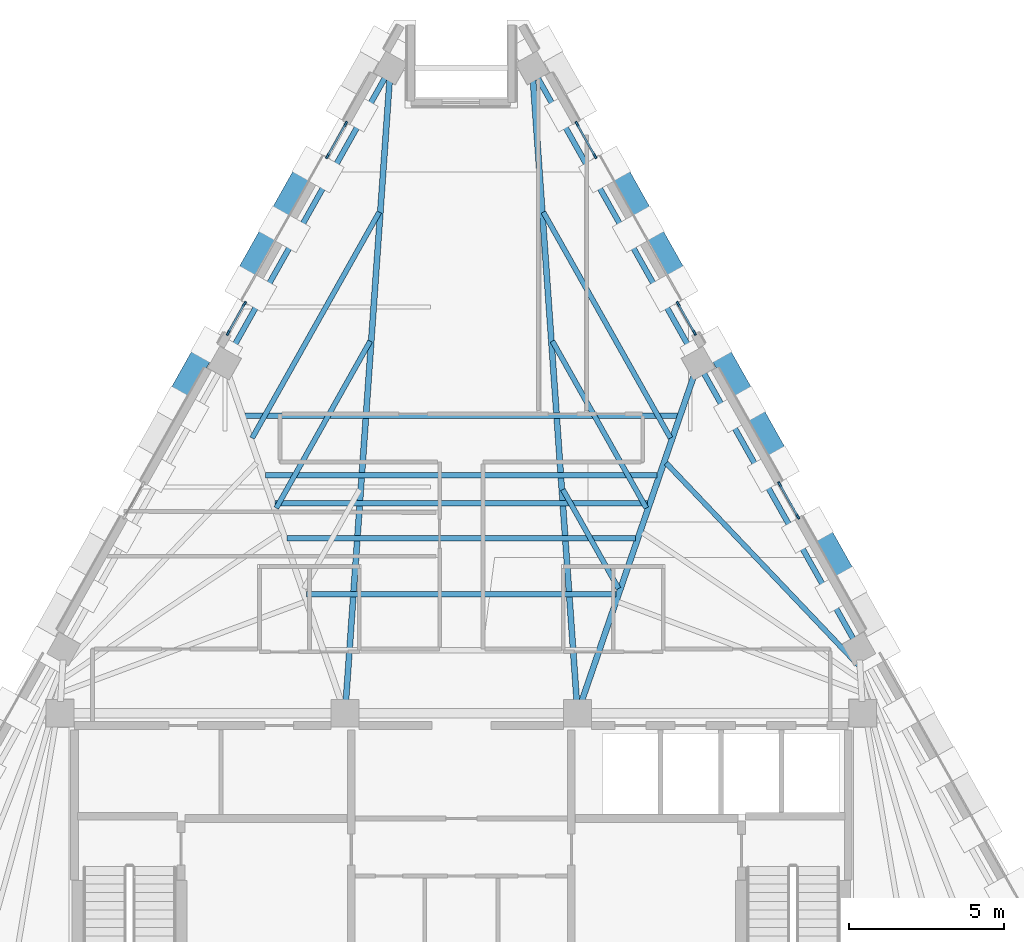
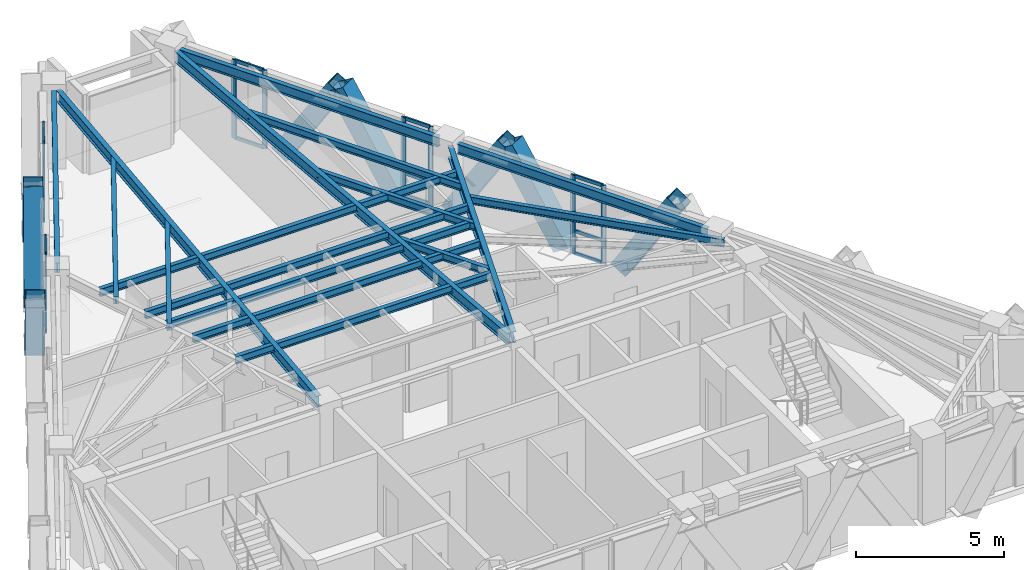
# One storey, part 3 of 9: 33 members, 17 beams, 5 elements without a shape of their own.
"""IFC4 building model written with IfcOpenShell, lengths in metres."""

from ifc_helpers import new_model, si_unit, direction, frame, origin, origin_2d, place, context, subcontext, project, spatial, rectangle, hollow_rectangle, i_section, extrude, material, material_profile, profile_set, type_object, element, aggregate, save


model = new_model("IFC4")

# Units and contexts
model_context = context("Model", 3, precision=1e-05, world=origin(), true_north=direction((0.0, 1.0)))
body_context = subcontext(model_context, "Body", "Model", "MODEL_VIEW")
ifc_project = project(units=[si_unit("LENGTHUNIT", "METRE"), si_unit("AREAUNIT", "SQUARE_METRE"), si_unit("VOLUMEUNIT", "CUBIC_METRE"), si_unit("PLANEANGLEUNIT", "RADIAN"), si_unit("MASSUNIT", "GRAM", prefix="KILO")], contexts=[model_context])

# Site, building, storey
site_placement = place(None, origin())
site = spatial("IfcSite", under=ifc_project, at=site_placement, CompositionType="ELEMENT")
building_placement = place(site_placement, origin())
building = spatial("IfcBuilding", under=site, at=building_placement, Name="Quenlor Broadcast Tower", CompositionType="ELEMENT")
storey_placement = place(building_placement, frame((0.0, 0.0, 256.89990234375)))
storey = spatial("IfcBuildingStorey", under=building, at=storey_placement, Name="L71", CompositionType="ELEMENT", Elevation=256.89990234375)

# Curtain wall, members
ifc_material_1 = material(Name="Architectural Terracotta and Low-E Glazing", Category="masonry")
curtain_wall_type = type_object("IfcCurtainWallType", Name="Unitised Terracotta Curtain Wall System Z5", PredefinedType="NOTDEFINED", material=ifc_material_1)
curtain_wall_1_placement = place(storey_placement, origin())
curtain_wall_1 = element("IfcCurtainWall", 1, at=curtain_wall_1_placement, inside=storey, type_object=curtain_wall_type, Name="L71 Curtain Wall CW5 (L71-NEA-G1)", PredefinedType="NOTDEFINED")
ifc_material_2 = material(Name="Aluminium 6063-T6", Category="aluminium")
ifc_material_profile_1 = material_profile(ifc_material_2, rectangle(XDim=0.06494140625, YDim=0.169921875, at=origin_2d()))
ifc_profile_set_1 = profile_set([ifc_material_profile_1], Name="Aluminium 6063-T6 MULL65x170")
member_type_1 = type_object("IfcMemberType", Name="CW5 Aluminium Mullion MULL_CW5", PredefinedType="MULLION", material=ifc_profile_set_1)
member_1_placement = place(storey_placement, frame((3.72802734375, 14.211669921875, 0.0), z_axis=(0.0, 0.0, 1.0), x_axis=(0.871558583916, 0.49029137745, 0.0)))
member_1 = element("IfcMember", 2, at=member_1_placement, type_object=member_type_1, Name="CW5 mullion 1", PredefinedType="MULLION", context=body_context, shape_type="SweptSolid", body=[
    extrude(rectangle(XDim=0.06494140625, YDim=0.169921875, at=origin_2d()), origin(), (0.0, 0.0, 1.0), 3.25),
])
member_2_placement = place(storey_placement, frame((4.31396484375, 13.169921875, 0.0), z_axis=(0.0, 0.0, 1.0), x_axis=(0.871558583916, 0.49029137745, 0.0)))
member_2 = element("IfcMember", 3, at=member_2_placement, type_object=member_type_1, Name="CW5 mullion 2", PredefinedType="MULLION", context=body_context, shape_type="SweptSolid", body=[
    extrude(rectangle(XDim=0.06494140625, YDim=0.169921875, at=origin_2d()), origin(), (0.0, 0.0, 1.0), 3.25),
])

curtain_wall_2_placement = place(storey_placement, origin())
curtain_wall_2 = element("IfcCurtainWall", 4, at=curtain_wall_2_placement, inside=storey, type_object=curtain_wall_type, Name="L71 Curtain Wall CW5 (L71-NEA-G2)", PredefinedType="NOTDEFINED")
member_3_placement = place(storey_placement, frame((6.99755859375, 8.39892578125, 0.0), z_axis=(0.0, 0.0, 1.0), x_axis=(0.871563693894, 0.490282293669, 0.0)))
member_3 = element("IfcMember", 5, at=member_3_placement, type_object=member_type_1, Name="CW5 mullion 1", PredefinedType="MULLION", context=body_context, shape_type="SweptSolid", body=[
    extrude(rectangle(XDim=0.06494140625, YDim=0.169921875, at=origin_2d()), origin(), (0.0, 0.0, 1.0), 3.25),
])
member_4_placement = place(storey_placement, frame((7.5185546875, 7.472900390625, 0.0), z_axis=(0.0, 0.0, 1.0), x_axis=(0.871563693894, 0.490282293669, 0.0)))
member_4 = element("IfcMember", 6, at=member_4_placement, type_object=member_type_1, Name="CW5 mullion 2", PredefinedType="MULLION", context=body_context, shape_type="SweptSolid", body=[
    extrude(rectangle(XDim=0.06494140625, YDim=0.169921875, at=origin_2d()), origin(), (0.0, 0.0, 1.0), 3.25),
])

curtain_wall_3_placement = place(storey_placement, origin())
curtain_wall_3 = element("IfcCurtainWall", 7, at=curtain_wall_3_placement, inside=storey, type_object=curtain_wall_type, Name="L71 Curtain Wall CW5 (L71-NE-G1)", PredefinedType="NOTDEFINED")
member_5_placement = place(storey_placement, frame((10.267333984375, 2.586181640625, 0.0), z_axis=(0.0, 0.0, 1.0), x_axis=(0.871592489955, 0.490231100048, 0.0)))
member_5 = element("IfcMember", 8, at=member_5_placement, type_object=member_type_1, Name="CW5 mullion 1", PredefinedType="MULLION", context=body_context, shape_type="SweptSolid", body=[
    extrude(rectangle(XDim=0.06494140625, YDim=0.169921875, at=origin_2d()), origin(), (0.0, 0.0, 1.0), 3.25),
])
member_6_placement = place(storey_placement, frame((10.853271484375, 1.54443359375, 0.0), z_axis=(0.0, 0.0, 1.0), x_axis=(0.871592489955, 0.490231100048, 0.0)))
member_6 = element("IfcMember", 9, at=member_6_placement, type_object=member_type_1, Name="CW5 mullion 2", PredefinedType="MULLION", context=body_context, shape_type="SweptSolid", body=[
    extrude(rectangle(XDim=0.06494140625, YDim=0.169921875, at=origin_2d()), origin(), (0.0, 0.0, 1.0), 3.25),
])

curtain_wall_4_placement = place(storey_placement, origin())
curtain_wall_4 = element("IfcCurtainWall", 10, at=curtain_wall_4_placement, inside=storey, type_object=curtain_wall_type, Name="L71 Curtain Wall CW5 (L71-NWC-G1)", PredefinedType="NOTDEFINED")
member_7_placement = place(storey_placement, frame((-7.5185546875, 7.472900390625, 0.0), z_axis=(0.0, 0.0, 1.0), x_axis=(-0.871563693894, 0.490282293669, 0.0)))
member_7 = element("IfcMember", 11, at=member_7_placement, type_object=member_type_1, Name="CW5 mullion 1", PredefinedType="MULLION", context=body_context, shape_type="SweptSolid", body=[
    extrude(rectangle(XDim=0.06494140625, YDim=0.169921875, at=origin_2d()), origin(), (0.0, 0.0, 1.0), 3.25),
])
member_8_placement = place(storey_placement, frame((-6.99755859375, 8.39892578125, 0.0), z_axis=(0.0, 0.0, 1.0), x_axis=(-0.871563693894, 0.490282293669, 0.0)))
member_8 = element("IfcMember", 12, at=member_8_placement, type_object=member_type_1, Name="CW5 mullion 2", PredefinedType="MULLION", context=body_context, shape_type="SweptSolid", body=[
    extrude(rectangle(XDim=0.06494140625, YDim=0.169921875, at=origin_2d()), origin(), (0.0, 0.0, 1.0), 3.25),
])

curtain_wall_5_placement = place(storey_placement, origin())
curtain_wall_5 = element("IfcCurtainWall", 13, at=curtain_wall_5_placement, inside=storey, type_object=curtain_wall_type, Name="L71 Curtain Wall CW5 (L71-NWC-G2)", PredefinedType="NOTDEFINED")
member_9_placement = place(storey_placement, frame((-4.31396484375, 13.169921875, 0.0), z_axis=(0.0, 0.0, 1.0), x_axis=(-0.871558583916, 0.49029137745, 0.0)))
member_9 = element("IfcMember", 14, at=member_9_placement, type_object=member_type_1, Name="CW5 mullion 1", PredefinedType="MULLION", context=body_context, shape_type="SweptSolid", body=[
    extrude(rectangle(XDim=0.06494140625, YDim=0.169921875, at=origin_2d()), origin(), (0.0, 0.0, 1.0), 3.25),
])
member_10_placement = place(storey_placement, frame((-3.72802734375, 14.211669921875, 0.0), z_axis=(0.0, 0.0, 1.0), x_axis=(-0.871558583916, 0.49029137745, 0.0)))
member_10 = element("IfcMember", 15, at=member_10_placement, type_object=member_type_1, Name="CW5 mullion 2", PredefinedType="MULLION", context=body_context, shape_type="SweptSolid", body=[
    extrude(rectangle(XDim=0.06494140625, YDim=0.169921875, at=origin_2d()), origin(), (0.0, 0.0, 1.0), 3.25),
])

# Member
ifc_material_3 = material(Name="Aluminium 6063-T6", Category="aluminium")
ifc_material_profile_2 = material_profile(ifc_material_3, rectangle(XDim=0.06494140625, YDim=0.139892578125, at=origin_2d()))
ifc_profile_set_2 = profile_set([ifc_material_profile_2], Name="Aluminium 6063-T6 TRAN65x140")
member_type_2 = type_object("IfcMemberType", Name="CW5 Aluminium Transom TRAN_CW5", PredefinedType="USERDEFINED", material=ifc_profile_set_2)
member_11_placement = place(storey_placement, frame((3.743896484375, 14.183349609375, 0.03271484375), z_axis=(0.490312513966, -0.871546693327, 0.0), x_axis=(0.871546693327, 0.490312513966, 0.0)))
member_11 = element("IfcMember", 16, at=member_11_placement, type_object=member_type_2, Name="CW5 transom 1.1", ObjectType="TRANSOM", PredefinedType="USERDEFINED", context=body_context, shape_type="SweptSolid", body=[
    extrude(rectangle(XDim=0.06494140625, YDim=0.139892578125, at=origin_2d()), origin(), (0.0, 0.0, 1.0), 1.13037109375),
])

member_12_placement = place(storey_placement, frame((3.743896484375, 14.183349609375, 0.9501953125), z_axis=(0.490312513966, -0.871546693327, 0.0), x_axis=(0.871546693327, 0.490312513966, 0.0)))
member_12 = element("IfcMember", 17, at=member_12_placement, type_object=member_type_2, Name="CW5 transom 1.2", ObjectType="TRANSOM", PredefinedType="USERDEFINED", context=body_context, shape_type="SweptSolid", body=[
    extrude(rectangle(XDim=0.06494140625, YDim=0.139892578125, at=origin_2d()), origin(), (0.0, 0.0, 1.0), 1.13037109375),
])

member_13_placement = place(storey_placement, frame((3.743896484375, 14.183349609375, 3.217529296875), z_axis=(0.490312513966, -0.871546693327, 0.0), x_axis=(0.871546693327, 0.490312513966, 0.0)))
member_13 = element("IfcMember", 18, at=member_13_placement, type_object=member_type_2, Name="CW5 transom 1.3", ObjectType="TRANSOM", PredefinedType="USERDEFINED", context=body_context, shape_type="SweptSolid", body=[
    extrude(rectangle(XDim=0.06494140625, YDim=0.139892578125, at=origin_2d()), origin(), (0.0, 0.0, 1.0), 1.13037109375),
])

aggregate(curtain_wall_1, [member_1, member_2, member_11, member_12, member_13])

member_14_placement = place(storey_placement, frame((7.013427734375, 8.37060546875, 0.03271484375), z_axis=(0.490249619047, -0.871582073602, 0.0), x_axis=(0.871582073602, 0.490249619047, 0.0)))
member_14 = element("IfcMember", 19, at=member_14_placement, type_object=member_type_2, Name="CW5 transom 1.1", ObjectType="TRANSOM", PredefinedType="USERDEFINED", context=body_context, shape_type="SweptSolid", body=[
    extrude(rectangle(XDim=0.06494140625, YDim=0.139892578125, at=origin_2d()), origin(), (0.0, 0.0, 1.0), 0.99755859375),
])

member_15_placement = place(storey_placement, frame((7.013427734375, 8.37060546875, 0.9501953125), z_axis=(0.490249619047, -0.871582073602, 0.0), x_axis=(0.871582073602, 0.490249619047, 0.0)))
member_15 = element("IfcMember", 20, at=member_15_placement, type_object=member_type_2, Name="CW5 transom 1.2", ObjectType="TRANSOM", PredefinedType="USERDEFINED", context=body_context, shape_type="SweptSolid", body=[
    extrude(rectangle(XDim=0.06494140625, YDim=0.139892578125, at=origin_2d()), origin(), (0.0, 0.0, 1.0), 0.99755859375),
])

member_16_placement = place(storey_placement, frame((7.013427734375, 8.37060546875, 3.217529296875), z_axis=(0.490249619047, -0.871582073602, 0.0), x_axis=(0.871582073602, 0.490249619047, 0.0)))
member_16 = element("IfcMember", 21, at=member_16_placement, type_object=member_type_2, Name="CW5 transom 1.3", ObjectType="TRANSOM", PredefinedType="USERDEFINED", context=body_context, shape_type="SweptSolid", body=[
    extrude(rectangle(XDim=0.06494140625, YDim=0.139892578125, at=origin_2d()), origin(), (0.0, 0.0, 1.0), 0.99755859375),
])

aggregate(curtain_wall_2, [member_3, member_4, member_14, member_15, member_16])

member_17_placement = place(storey_placement, frame((10.283203125, 2.557861328125, 0.03271484375), z_axis=(0.490312513966, -0.871546693327, 0.0), x_axis=(0.871546693327, 0.490312513966, 0.0)))
member_17 = element("IfcMember", 22, at=member_17_placement, type_object=member_type_2, Name="CW5 transom 1.1", ObjectType="TRANSOM", PredefinedType="USERDEFINED", context=body_context, shape_type="SweptSolid", body=[
    extrude(rectangle(XDim=0.06494140625, YDim=0.139892578125, at=origin_2d()), origin(), (0.0, 0.0, 1.0), 1.13037109375),
])

member_18_placement = place(storey_placement, frame((10.283203125, 2.557861328125, 0.9501953125), z_axis=(0.490312513966, -0.871546693327, 0.0), x_axis=(0.871546693327, 0.490312513966, 0.0)))
member_18 = element("IfcMember", 23, at=member_18_placement, type_object=member_type_2, Name="CW5 transom 1.2", ObjectType="TRANSOM", PredefinedType="USERDEFINED", context=body_context, shape_type="SweptSolid", body=[
    extrude(rectangle(XDim=0.06494140625, YDim=0.139892578125, at=origin_2d()), origin(), (0.0, 0.0, 1.0), 1.13037109375),
])

member_19_placement = place(storey_placement, frame((10.283203125, 2.557861328125, 3.217529296875), z_axis=(0.490312513966, -0.871546693327, 0.0), x_axis=(0.871546693327, 0.490312513966, 0.0)))
member_19 = element("IfcMember", 24, at=member_19_placement, type_object=member_type_2, Name="CW5 transom 1.3", ObjectType="TRANSOM", PredefinedType="USERDEFINED", context=body_context, shape_type="SweptSolid", body=[
    extrude(rectangle(XDim=0.06494140625, YDim=0.139892578125, at=origin_2d()), origin(), (0.0, 0.0, 1.0), 1.13037109375),
])

aggregate(curtain_wall_3, [member_5, member_6, member_17, member_18, member_19])

member_20_placement = place(storey_placement, frame((-7.50244140625, 7.501220703125, 0.03271484375), z_axis=(0.490249619047, 0.871582073602, 0.0), x_axis=(-0.871582073602, 0.490249619047, 0.0)))
member_20 = element("IfcMember", 25, at=member_20_placement, type_object=member_type_2, Name="CW5 transom 1.1", ObjectType="TRANSOM", PredefinedType="USERDEFINED", context=body_context, shape_type="SweptSolid", body=[
    extrude(rectangle(XDim=0.06494140625, YDim=0.139892578125, at=origin_2d()), origin(), (0.0, 0.0, 1.0), 0.99755859375),
])

member_21_placement = place(storey_placement, frame((-7.50244140625, 7.501220703125, 0.9501953125), z_axis=(0.490249619047, 0.871582073602, 0.0), x_axis=(-0.871582073602, 0.490249619047, 0.0)))
member_21 = element("IfcMember", 26, at=member_21_placement, type_object=member_type_2, Name="CW5 transom 1.2", ObjectType="TRANSOM", PredefinedType="USERDEFINED", context=body_context, shape_type="SweptSolid", body=[
    extrude(rectangle(XDim=0.06494140625, YDim=0.139892578125, at=origin_2d()), origin(), (0.0, 0.0, 1.0), 0.99755859375),
])

member_22_placement = place(storey_placement, frame((-7.50244140625, 7.501220703125, 3.217529296875), z_axis=(0.490249619047, 0.871582073602, 0.0), x_axis=(-0.871582073602, 0.490249619047, 0.0)))
member_22 = element("IfcMember", 27, at=member_22_placement, type_object=member_type_2, Name="CW5 transom 1.3", ObjectType="TRANSOM", PredefinedType="USERDEFINED", context=body_context, shape_type="SweptSolid", body=[
    extrude(rectangle(XDim=0.06494140625, YDim=0.139892578125, at=origin_2d()), origin(), (0.0, 0.0, 1.0), 0.99755859375),
])

aggregate(curtain_wall_4, [member_7, member_8, member_20, member_21, member_22])

member_23_placement = place(storey_placement, frame((-4.298095703125, 13.1982421875, 0.03271484375), z_axis=(0.490312513966, 0.871546693327, 0.0), x_axis=(-0.871546693327, 0.490312513966, 0.0)))
member_23 = element("IfcMember", 28, at=member_23_placement, type_object=member_type_2, Name="CW5 transom 1.1", ObjectType="TRANSOM", PredefinedType="USERDEFINED", context=body_context, shape_type="SweptSolid", body=[
    extrude(rectangle(XDim=0.06494140625, YDim=0.139892578125, at=origin_2d()), origin(), (0.0, 0.0, 1.0), 1.13037109375),
])

member_24_placement = place(storey_placement, frame((-4.298095703125, 13.1982421875, 0.9501953125), z_axis=(0.490312513966, 0.871546693327, 0.0), x_axis=(-0.871546693327, 0.490312513966, 0.0)))
member_24 = element("IfcMember", 29, at=member_24_placement, type_object=member_type_2, Name="CW5 transom 1.2", ObjectType="TRANSOM", PredefinedType="USERDEFINED", context=body_context, shape_type="SweptSolid", body=[
    extrude(rectangle(XDim=0.06494140625, YDim=0.139892578125, at=origin_2d()), origin(), (0.0, 0.0, 1.0), 1.13037109375),
])

member_25_placement = place(storey_placement, frame((-4.298095703125, 13.1982421875, 3.217529296875), z_axis=(0.490312513966, 0.871546693327, 0.0), x_axis=(-0.871546693327, 0.490312513966, 0.0)))
member_25 = element("IfcMember", 30, at=member_25_placement, type_object=member_type_2, Name="CW5 transom 1.3", ObjectType="TRANSOM", PredefinedType="USERDEFINED", context=body_context, shape_type="SweptSolid", body=[
    extrude(rectangle(XDim=0.06494140625, YDim=0.139892578125, at=origin_2d()), origin(), (0.0, 0.0, 1.0), 1.13037109375),
])

aggregate(curtain_wall_5, [member_9, member_10, member_23, member_24, member_25])

# Members
ifc_material_4 = material(Name="Steel S355", Category="steel")
ifc_material_profile_3 = material_profile(ifc_material_4, hollow_rectangle(XDim=0.679931640625, YDim=0.679931640625, WallThickness=0.02001953125, at=origin_2d()))
ifc_profile_set_3 = profile_set([ifc_material_profile_3], Name="Steel S355 RHS680x680x20")
member_type_3 = type_object("IfcMemberType", Name="Perimeter Diagonal Lattice Brace Z5-Crown Steel S355 RHS680x20", PredefinedType="BRACE", material=ifc_profile_set_3)
for number, where, z_axis, x_axis, name in (
    (31, (4.916748046875, 12.904052734375, -0.119873046875), (0.260563732169, -0.463283497491, 0.847038926161), (0.871602253711, 0.49021374045, 0.0), "L71 Perimeter Diamond Lattice NE-C1S"),
    (32, (8.186279296875, 7.09130859375, -0.119873046875), (0.260618804175, -0.463276364439, 0.847025884529), (0.8715547569, 0.490298180422, 0.0), "L71 Perimeter Diamond Lattice NE-C2S"),
    (33, (7.08349609375, 9.052001953125, -0.119873046875), (-0.260618804175, 0.463276364439, 0.847025884529), (-0.8715547569, -0.490298180422, 0.0), "L71 Perimeter Diamond Lattice NE-C2B"),
    (34, (11.4560546875, 1.2783203125, -0.119873046875), (0.260618804175, -0.463276364439, 0.847025884529), (0.8715547569, 0.490298180422, 0.0), "L71 Perimeter Diamond Lattice NE-C3S"),
    (35, (10.35302734375, 3.2392578125, -0.119873046875), (-0.260563732169, 0.463283497491, 0.847038926161), (-0.871602253711, -0.49021374045, 0.0), "L71 Perimeter Diamond Lattice NE-C3B"),
    (36, (-7.08349609375, 9.052001953125, -0.119873046875), (0.260618804175, 0.463276364439, 0.847025884529), (-0.8715547569, 0.490298180422, 0.0), "L71 Perimeter Diamond Lattice NW-C4S"),
    (37, (-8.186279296875, 7.09130859375, -0.119873046875), (-0.260618804175, -0.463276364439, 0.847025884529), (0.8715547569, -0.490298180422, 0.0), "L71 Perimeter Diamond Lattice NW-C4B"),
    (38, (-4.916748046875, 12.904052734375, -0.119873046875), (-0.260563732169, -0.463283497491, 0.847038926161), (0.871602253711, -0.49021374045, 0.0), "L71 Perimeter Diamond Lattice NW-C5B"),
):
    element("IfcMember", number, at=place(storey_placement, frame(where, z_axis=z_axis, x_axis=x_axis)), inside=storey, type_object=member_type_3, Name=name, PredefinedType="BRACE", context=body_context, shape_type="SweptSolid", body=[
        extrude(hollow_rectangle(XDim=0.679931640625, YDim=0.679931640625, WallThickness=0.02001953125, at=origin_2d()), origin(), (0.0, 0.0, 1.0), 4.132080078125),
    ])

# Beams
ifc_material_5 = material(Name="Steel S355", Category="steel")
ifc_material_profile_4 = material_profile(ifc_material_5, i_section(OverallWidth=0.177978515625, OverallDepth=0.406494140625, WebThickness=0.0078125, FlangeThickness=0.0126953125, FilletRadius=0.011474609375, at=origin_2d()))
ifc_profile_set_4 = profile_set([ifc_material_profile_4], Name="Steel S355 410UB59.7")
beam_type_1 = type_object("IfcBeamType", Name="Perimeter Spandrel Beam Z5 Steel S355 410UB59.7", PredefinedType="SPANDREL", material=ifc_profile_set_4)
beam_1_placement = place(storey_placement, frame((12.64892578125, -2.412841796875, 3.046875), z_axis=(-0.49024947634, 0.871582153872, 0.0), x_axis=(-0.871582153872, -0.49024947634, 0.0)))
element("IfcBeam", 39, at=beam_1_placement, inside=storey, type_object=beam_type_1, Name="L71 Spandrel Beam NE2-NE3", PredefinedType="SPANDREL", context=body_context, shape_type="SweptSolid", body=[
    extrude(i_section(OverallWidth=0.177978515625, OverallDepth=0.406494140625, WebThickness=0.0078125, FlangeThickness=0.0126953125, FilletRadius=0.011474609375, at=origin_2d()), origin(), (0.0, 0.0, 1.0), 9.853759765625),
])
for number, where, z_axis, x_axis, name in (
    (40, (7.465087890625, 6.802978515625, 3.046875), (-0.490264646634, 0.871573620677, 0.0), (-0.871573620677, -0.490264646634, 0.0), "L71 Spandrel Beam NE3-NE4"),
    (41, (-2.461181640625, 15.69873046875, 3.046875), (-0.490264646634, -0.871573620677, 0.0), (0.871573620677, -0.490264646634, 0.0), "L71 Spandrel Beam NW1-NW2"),
):
    element("IfcBeam", number, at=place(storey_placement, frame(where, z_axis=z_axis, x_axis=x_axis)), inside=storey, type_object=beam_type_1, Name=name, PredefinedType="SPANDREL", context=body_context, shape_type="SweptSolid", body=[
        extrude(i_section(OverallWidth=0.177978515625, OverallDepth=0.406494140625, WebThickness=0.0078125, FlangeThickness=0.0126953125, FilletRadius=0.011474609375, at=origin_2d()), origin(), (0.0, 0.0, 1.0), 10.20654296875),
    ])
ifc_material_6 = material(Name="Steel S355", Category="steel")
ifc_material_profile_5 = material_profile(ifc_material_6, i_section(OverallWidth=0.166015625, OverallDepth=0.30712890625, WebThickness=0.006591796875, FlangeThickness=0.01171875, FilletRadius=0.011474609375, at=origin_2d()))
ifc_profile_set_5 = profile_set([ifc_material_profile_5], Name="Steel S355 310UB46.2")
beam_type_2 = type_object("IfcBeamType", Name="Tower Composite Joist Z4-Z5 Steel S355 310UB46.2", PredefinedType="JOIST", material=ifc_profile_set_5)
beam_2_placement = place(storey_placement, frame((-6.0048828125, 1.9736328125, 3.096435546875), z_axis=(1.0, 0.0, 0.0), x_axis=(0.0, 1.0, 0.0)))
element("IfcBeam", 42, at=beam_2_placement, inside=storey, type_object=beam_type_2, Name="L71 Secondary Composite Joist 2", PredefinedType="JOIST", context=body_context, shape_type="SweptSolid", body=[
    extrude(i_section(OverallWidth=0.166015625, OverallDepth=0.30712890625, WebThickness=0.006591796875, FlangeThickness=0.01171875, FilletRadius=0.011474609375, at=origin_2d()), origin(), (0.0, 0.0, 1.0), 12.009765625),
])
beam_3_placement = place(storey_placement, frame((-4.9931640625, -0.961669921875, 3.096435546875), z_axis=(1.0, 0.0, 0.0), x_axis=(0.0, 1.0, 0.0)))
element("IfcBeam", 43, at=beam_3_placement, inside=storey, type_object=beam_type_2, Name="L71 Secondary Composite Joist 3", PredefinedType="JOIST", context=body_context, shape_type="SweptSolid", body=[
    extrude(i_section(OverallWidth=0.166015625, OverallDepth=0.30712890625, WebThickness=0.006591796875, FlangeThickness=0.01171875, FilletRadius=0.011474609375, at=origin_2d()), origin(), (0.0, 0.0, 1.0), 9.986328125),
])
beam_4_placement = place(storey_placement, frame((-5.61572265625, 0.8447265625, 3.096435546875), z_axis=(1.0, 0.0, 0.0), x_axis=(0.0, 1.0, 0.0)))
element("IfcBeam", 44, at=beam_4_placement, inside=storey, type_object=beam_type_2, Name="L71 Secondary Composite Joist 4", PredefinedType="JOIST", context=body_context, shape_type="SweptSolid", body=[
    extrude(i_section(OverallWidth=0.166015625, OverallDepth=0.30712890625, WebThickness=0.006591796875, FlangeThickness=0.01171875, FilletRadius=0.011474609375, at=origin_2d()), origin(), (0.0, 0.0, 1.0), 11.2314453125),
])
beam_5_placement = place(storey_placement, frame((-6.316162109375, 2.876708984375, 3.096435546875), z_axis=(1.0, 0.0, 0.0), x_axis=(0.0, 1.0, 0.0)))
element("IfcBeam", 45, at=beam_5_placement, inside=storey, type_object=beam_type_2, Name="L71 Secondary Composite Joist 5", PredefinedType="JOIST", context=body_context, shape_type="SweptSolid", body=[
    extrude(i_section(OverallWidth=0.166015625, OverallDepth=0.30712890625, WebThickness=0.006591796875, FlangeThickness=0.01171875, FilletRadius=0.011474609375, at=origin_2d()), origin(), (0.0, 0.0, 1.0), 12.63232421875),
])
beam_6_placement = place(storey_placement, frame((-6.977783203125, 4.7958984375, 3.096435546875), z_axis=(1.0, 0.0, 0.0), x_axis=(0.0, 1.0, 0.0)))
element("IfcBeam", 46, at=beam_6_placement, inside=storey, type_object=beam_type_2, Name="L71 Secondary Composite Joist 6", PredefinedType="JOIST", context=body_context, shape_type="SweptSolid", body=[
    extrude(i_section(OverallWidth=0.166015625, OverallDepth=0.30712890625, WebThickness=0.006591796875, FlangeThickness=0.01171875, FilletRadius=0.011474609375, at=origin_2d()), origin(), (0.0, 0.0, 1.0), 13.95556640625),
])
beam_7_placement = place(storey_placement, frame((12.80517578125, -3.249267578125, 3.096435546875), z_axis=(-0.689023306429, 0.724739182877, 0.0), x_axis=(-0.724739182877, -0.689023306429, 0.0)))
element("IfcBeam", 47, at=beam_7_placement, inside=storey, type_object=beam_type_2, Name="L71 Secondary Composite Joist 12", PredefinedType="JOIST", context=body_context, shape_type="SweptSolid", body=[
    extrude(i_section(OverallWidth=0.166015625, OverallDepth=0.30712890625, WebThickness=0.006591796875, FlangeThickness=0.01171875, FilletRadius=0.011474609375, at=origin_2d()), origin(), (0.0, 0.0, 1.0), 8.99560546875),
])
beam_8_placement = place(storey_placement, frame((-2.939208984375, 7.201416015625, 3.096435546875), z_axis=(-0.490266868828, -0.871572370678, 0.0), x_axis=(0.871572370678, -0.490266868828, 0.0)))
element("IfcBeam", 48, at=beam_8_placement, inside=storey, type_object=beam_type_2, Name="L71 Secondary Composite Joist 26", PredefinedType="JOIST", context=body_context, shape_type="SweptSolid", body=[
    extrude(i_section(OverallWidth=0.166015625, OverallDepth=0.30712890625, WebThickness=0.006591796875, FlangeThickness=0.01171875, FilletRadius=0.011474609375, at=origin_2d()), origin(), (0.0, 0.0, 1.0), 6.177490234375),
])
beam_9_placement = place(storey_placement, frame((-2.646240234375, 11.364013671875, 3.096435546875), z_axis=(-0.490264011812, -0.871573977768, 0.0), x_axis=(0.871573977768, -0.490264011812, 0.0)))
element("IfcBeam", 49, at=beam_9_placement, inside=storey, type_object=beam_type_2, Name="L71 Secondary Composite Joist 27", PredefinedType="JOIST", context=body_context, shape_type="SweptSolid", body=[
    extrude(i_section(OverallWidth=0.166015625, OverallDepth=0.30712890625, WebThickness=0.006591796875, FlangeThickness=0.01171875, FilletRadius=0.011474609375, at=origin_2d()), origin(), (0.0, 0.0, 1.0), 8.362548828125),
])
beam_10_placement = place(storey_placement, frame((3.2763671875, 2.41455078125, 3.096435546875), z_axis=(0.490258076222, -0.871577316535, 0.0), x_axis=(0.871577316535, 0.490258076222, 0.0)))
element("IfcBeam", 50, at=beam_10_placement, inside=storey, type_object=beam_type_2, Name="L71 Secondary Composite Joist 28", PredefinedType="JOIST", context=body_context, shape_type="SweptSolid", body=[
    extrude(i_section(OverallWidth=0.166015625, OverallDepth=0.30712890625, WebThickness=0.006591796875, FlangeThickness=0.01171875, FilletRadius=0.011474609375, at=origin_2d()), origin(), (0.0, 0.0, 1.0), 3.6640625),
])
beam_11_placement = place(storey_placement, frame((2.939208984375, 7.201416015625, 3.096435546875), z_axis=(0.490266868828, -0.871572370678, 0.0), x_axis=(0.871572370678, 0.490266868828, 0.0)))
element("IfcBeam", 51, at=beam_11_placement, inside=storey, type_object=beam_type_2, Name="L71 Secondary Composite Joist 29", PredefinedType="JOIST", context=body_context, shape_type="SweptSolid", body=[
    extrude(i_section(OverallWidth=0.166015625, OverallDepth=0.30712890625, WebThickness=0.006591796875, FlangeThickness=0.01171875, FilletRadius=0.011474609375, at=origin_2d()), origin(), (0.0, 0.0, 1.0), 6.177490234375),
])
beam_12_placement = place(storey_placement, frame((2.646240234375, 11.364013671875, 3.096435546875), z_axis=(0.490264011812, -0.871573977768, 0.0), x_axis=(0.871573977768, 0.490264011812, 0.0)))
element("IfcBeam", 52, at=beam_12_placement, inside=storey, type_object=beam_type_2, Name="L71 Secondary Composite Joist 30", PredefinedType="JOIST", context=body_context, shape_type="SweptSolid", body=[
    extrude(i_section(OverallWidth=0.166015625, OverallDepth=0.30712890625, WebThickness=0.006591796875, FlangeThickness=0.01171875, FilletRadius=0.011474609375, at=origin_2d()), origin(), (0.0, 0.0, 1.0), 8.362548828125),
])
ifc_material_7 = material(Name="Steel S355", Category="steel")
ifc_material_profile_6 = material_profile(ifc_material_7, i_section(OverallWidth=0.19091796875, OverallDepth=0.46044921875, WebThickness=0.010009765625, FlangeThickness=0.01611328125, FilletRadius=0.011474609375, at=origin_2d()))
ifc_profile_set_6 = profile_set([ifc_material_profile_6], Name="Steel S355 460UB82.1")
beam_type_3 = type_object("IfcBeamType", Name="Tower Primary Floor Beam Z5 Steel S355 460UB82.1", PredefinedType="BEAM", material=ifc_profile_set_6)
beam_13_placement = place(storey_placement, frame((7.524169921875, 6.14892578125, 3.02001953125), z_axis=(-0.325895297662, -0.945405867848, 0.0), x_axis=(0.945405867848, -0.325895297662, 0.0)))
element("IfcBeam", 53, at=beam_13_placement, inside=storey, type_object=beam_type_3, Name="L71 Primary Radial Beam NE3", PredefinedType="BEAM", context=body_context, shape_type="SweptSolid", body=[
    extrude(i_section(OverallWidth=0.19091796875, OverallDepth=0.46044921875, WebThickness=0.010009765625, FlangeThickness=0.01611328125, FilletRadius=0.011474609375, at=origin_2d()), origin(), (0.0, 0.0, 1.0), 11.201171875),
])
for number, where, z_axis, x_axis, name in (
    (54, (2.31005859375, 15.6533203125, 3.02001953125), (0.070231384782, -0.997530727643, 0.0), (0.997530727643, 0.070231384782, 0.0), "L71 Primary Radial Beam NE4"),
    (55, (-2.31005859375, 15.6533203125, 3.02001953125), (-0.070231384782, -0.997530727643, 0.0), (0.997530727643, -0.070231384782, 0.0), "L71 Primary Radial Beam NW1"),
):
    element("IfcBeam", number, at=place(storey_placement, frame(where, z_axis=z_axis, x_axis=x_axis)), inside=storey, type_object=beam_type_3, Name=name, PredefinedType="BEAM", context=body_context, shape_type="SweptSolid", body=[
        extrude(i_section(OverallWidth=0.19091796875, OverallDepth=0.46044921875, WebThickness=0.010009765625, FlangeThickness=0.01611328125, FilletRadius=0.011474609375, at=origin_2d()), origin(), (0.0, 0.0, 1.0), 20.1240234375),
    ])

save(model, "model.ifc")
